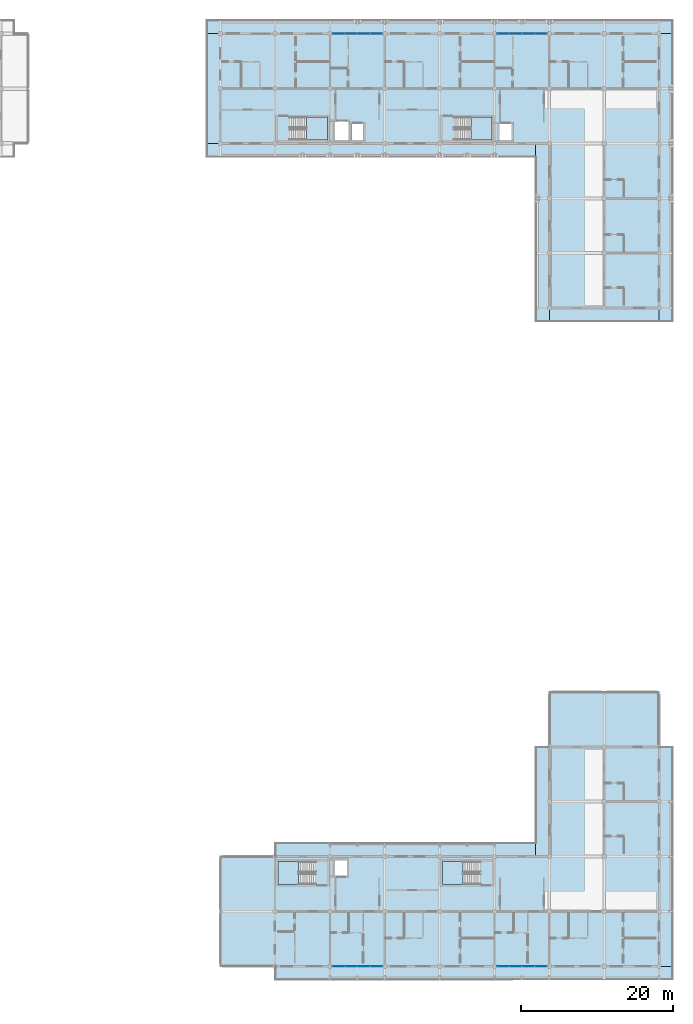
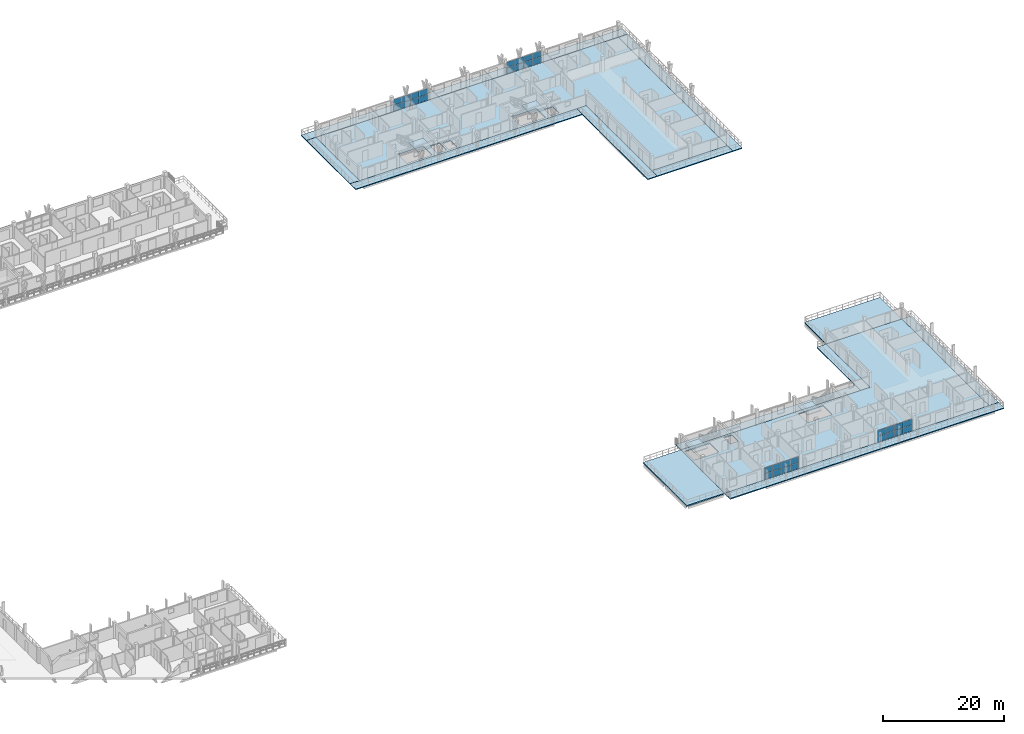
# One storey, part 31 of 65: 32 plates, 18 slabs, 8 elements without a shape of their own.
"""IFC4 building model written with IfcOpenShell, lengths in metres."""

from ifc_helpers import new_model, si_unit, direction, frame, origin, origin_2d, place, context, subcontext, project, spatial, polyline, rectangle, outline, extrude, material, layer, layer_set, type_object, element, aggregate, save


model = new_model("IFC4")

# Units and contexts
model_context = context("Model", 3, precision=1e-05, world=origin(), true_north=direction((0.0, 1.0)))
body_context = subcontext(model_context, "Body", "Model", "MODEL_VIEW")
ifc_project = project(units=[si_unit("LENGTHUNIT", "METRE"), si_unit("AREAUNIT", "SQUARE_METRE"), si_unit("VOLUMEUNIT", "CUBIC_METRE"), si_unit("PLANEANGLEUNIT", "RADIAN"), si_unit("MASSUNIT", "GRAM", prefix="KILO")], contexts=[model_context])

# Site, building, storey
site_placement = place(None, origin())
site = spatial("IfcSite", under=ifc_project, at=site_placement, CompositionType="ELEMENT")
building_placement = place(site_placement, origin())
building = spatial("IfcBuilding", under=site, at=building_placement, Name="Suanplinth Sawtooth Commons", CompositionType="ELEMENT")
storey_placement = place(building_placement, frame((0.0, 0.0, 28.300048828125)))
storey = spatial("IfcBuildingStorey", under=building, at=storey_placement, Name="L08", CompositionType="ELEMENT", Elevation=28.300048828125)

# Curtain wall, plates
ifc_material_1 = material(Name="Anodized aluminium and low-E glazing", Category="aluminium")
curtain_wall_type = type_object("IfcCurtainWallType", Name="CW-06", PredefinedType="USERDEFINED", material=ifc_material_1)
curtain_wall_1_placement = place(storey_placement, origin())
curtain_wall_1 = element("IfcCurtainWall", 1, at=curtain_wall_1_placement, inside=storey, type_object=curtain_wall_type, Name="Curtain Wall CW-L08-B-LOUNGE-20", ObjectType="CURTAIN WALL", PredefinedType="USERDEFINED")
ifc_material_2 = material(Name="Tempered low-E double glazing", Category="glass")
ifc_layer_1 = layer(ifc_material_2, 0.028076171875, Name="Vision low-E insulated glazing unit 28mm")
ifc_layer_set_1 = layer_set([ifc_layer_1], Name="Tempered low-E double glazing")
plate_type = type_object("IfcPlateType", Name="PL-05", PredefinedType="CURTAIN_PANEL", material=ifc_layer_set_1)
plate_1_placement = place(storey_placement, frame((145.12255859375, 122.39990234375, 0.06494140625), z_axis=(0.0, 0.0, 1.0), x_axis=(1.0, 0.0, 0.0)))
plate_1 = element("IfcPlate", 2, at=plate_1_placement, type_object=plate_type, Name="CW-06 panel 1.1", PredefinedType="CURTAIN_PANEL", context=body_context, shape_type="SweptSolid", body=[
    extrude(rectangle(XDim=1.56494140625, YDim=0.028076171875, at=origin_2d()), origin(), (0.0, 0.0, 1.0), 1.152587890625),
])
plate_2_placement = place(storey_placement, frame((145.12255859375, 122.39990234375, 1.2822265625), z_axis=(0.0, 0.0, 1.0), x_axis=(1.0, 0.0, 0.0)))
plate_2 = element("IfcPlate", 3, at=plate_2_placement, type_object=plate_type, Name="CW-06 panel 1.2", PredefinedType="CURTAIN_PANEL", context=body_context, shape_type="SweptSolid", body=[
    extrude(rectangle(XDim=1.56494140625, YDim=0.028076171875, at=origin_2d()), origin(), (0.0, 0.0, 1.0), 1.152587890625),
])
plate_3_placement = place(storey_placement, frame((146.768798828125, 122.39990234375, 0.06494140625), z_axis=(0.0, 0.0, 1.0), x_axis=(1.0, 0.0, 0.0)))
plate_3 = element("IfcPlate", 4, at=plate_3_placement, type_object=plate_type, Name="CW-06 panel 2.1", PredefinedType="CURTAIN_PANEL", context=body_context, shape_type="SweptSolid", body=[
    extrude(rectangle(XDim=1.597412109375, YDim=0.028076171875, at=origin_2d()), origin(), (0.0, 0.0, 1.0), 1.152587890625),
])
plate_4_placement = place(storey_placement, frame((146.768798828125, 122.39990234375, 1.2822265625), z_axis=(0.0, 0.0, 1.0), x_axis=(1.0, 0.0, 0.0)))
plate_4 = element("IfcPlate", 5, at=plate_4_placement, type_object=plate_type, Name="CW-06 panel 2.2", PredefinedType="CURTAIN_PANEL", context=body_context, shape_type="SweptSolid", body=[
    extrude(rectangle(XDim=1.597412109375, YDim=0.028076171875, at=origin_2d()), origin(), (0.0, 0.0, 1.0), 1.152587890625),
])
plate_5_placement = place(storey_placement, frame((148.43115234375, 122.39990234375, 0.06494140625), z_axis=(0.0, 0.0, 1.0), x_axis=(1.0, 0.0, 0.0)))
plate_5 = element("IfcPlate", 6, at=plate_5_placement, type_object=plate_type, Name="CW-06 panel 3.1", PredefinedType="CURTAIN_PANEL", context=body_context, shape_type="SweptSolid", body=[
    extrude(rectangle(XDim=1.597412109375, YDim=0.028076171875, at=origin_2d()), origin(), (0.0, 0.0, 1.0), 1.152587890625),
])
plate_6_placement = place(storey_placement, frame((148.43115234375, 122.39990234375, 1.2822265625), z_axis=(0.0, 0.0, 1.0), x_axis=(1.0, 0.0, 0.0)))
plate_6 = element("IfcPlate", 7, at=plate_6_placement, type_object=plate_type, Name="CW-06 panel 3.2", PredefinedType="CURTAIN_PANEL", context=body_context, shape_type="SweptSolid", body=[
    extrude(rectangle(XDim=1.597412109375, YDim=0.028076171875, at=origin_2d()), origin(), (0.0, 0.0, 1.0), 1.152587890625),
])
plate_7_placement = place(storey_placement, frame((150.077392578125, 122.39990234375, 0.06494140625), z_axis=(0.0, 0.0, 1.0), x_axis=(1.0, 0.0, 0.0)))
plate_7 = element("IfcPlate", 8, at=plate_7_placement, type_object=plate_type, Name="CW-06 panel 4.1", PredefinedType="CURTAIN_PANEL", context=body_context, shape_type="SweptSolid", body=[
    extrude(rectangle(XDim=1.56494140625, YDim=0.028076171875, at=origin_2d()), origin(), (0.0, 0.0, 1.0), 1.152587890625),
])
plate_8_placement = place(storey_placement, frame((150.077392578125, 122.39990234375, 1.2822265625), z_axis=(0.0, 0.0, 1.0), x_axis=(1.0, 0.0, 0.0)))
plate_8 = element("IfcPlate", 9, at=plate_8_placement, type_object=plate_type, Name="CW-06 panel 4.2", PredefinedType="CURTAIN_PANEL", context=body_context, shape_type="SweptSolid", body=[
    extrude(rectangle(XDim=1.56494140625, YDim=0.028076171875, at=origin_2d()), origin(), (0.0, 0.0, 1.0), 1.152587890625),
])
aggregate(curtain_wall_1, [plate_1, plate_2, plate_3, plate_4, plate_5, plate_6, plate_7, plate_8])

curtain_wall_2_placement = place(storey_placement, origin())
curtain_wall_2 = element("IfcCurtainWall", 10, at=curtain_wall_2_placement, inside=storey, type_object=curtain_wall_type, Name="Curtain Wall CW-L08-B-LOUNGE-23", ObjectType="CURTAIN WALL", PredefinedType="USERDEFINED")
plate_9_placement = place(storey_placement, frame((166.722412109375, 122.39990234375, 0.06494140625), z_axis=(0.0, 0.0, 1.0), x_axis=(1.0, 0.0, 0.0)))
plate_9 = element("IfcPlate", 11, at=plate_9_placement, type_object=plate_type, Name="CW-06 panel 1.1", PredefinedType="CURTAIN_PANEL", context=body_context, shape_type="SweptSolid", body=[
    extrude(rectangle(XDim=1.56494140625, YDim=0.028076171875, at=origin_2d()), origin(), (0.0, 0.0, 1.0), 1.152587890625),
])
plate_10_placement = place(storey_placement, frame((166.722412109375, 122.39990234375, 1.2822265625), z_axis=(0.0, 0.0, 1.0), x_axis=(1.0, 0.0, 0.0)))
plate_10 = element("IfcPlate", 12, at=plate_10_placement, type_object=plate_type, Name="CW-06 panel 1.2", PredefinedType="CURTAIN_PANEL", context=body_context, shape_type="SweptSolid", body=[
    extrude(rectangle(XDim=1.56494140625, YDim=0.028076171875, at=origin_2d()), origin(), (0.0, 0.0, 1.0), 1.152587890625),
])
plate_11_placement = place(storey_placement, frame((168.36865234375, 122.39990234375, 0.06494140625), z_axis=(0.0, 0.0, 1.0), x_axis=(1.0, 0.0, 0.0)))
plate_11 = element("IfcPlate", 13, at=plate_11_placement, type_object=plate_type, Name="CW-06 panel 2.1", PredefinedType="CURTAIN_PANEL", context=body_context, shape_type="SweptSolid", body=[
    extrude(rectangle(XDim=1.597412109375, YDim=0.028076171875, at=origin_2d()), origin(), (0.0, 0.0, 1.0), 1.152587890625),
])
plate_12_placement = place(storey_placement, frame((168.36865234375, 122.39990234375, 1.2822265625), z_axis=(0.0, 0.0, 1.0), x_axis=(1.0, 0.0, 0.0)))
plate_12 = element("IfcPlate", 14, at=plate_12_placement, type_object=plate_type, Name="CW-06 panel 2.2", PredefinedType="CURTAIN_PANEL", context=body_context, shape_type="SweptSolid", body=[
    extrude(rectangle(XDim=1.597412109375, YDim=0.028076171875, at=origin_2d()), origin(), (0.0, 0.0, 1.0), 1.152587890625),
])
plate_13_placement = place(storey_placement, frame((170.03125, 122.39990234375, 0.06494140625), z_axis=(0.0, 0.0, 1.0), x_axis=(1.0, 0.0, 0.0)))
plate_13 = element("IfcPlate", 15, at=plate_13_placement, type_object=plate_type, Name="CW-06 panel 3.1", PredefinedType="CURTAIN_PANEL", context=body_context, shape_type="SweptSolid", body=[
    extrude(rectangle(XDim=1.597412109375, YDim=0.028076171875, at=origin_2d()), origin(), (0.0, 0.0, 1.0), 1.152587890625),
])
plate_14_placement = place(storey_placement, frame((170.03125, 122.39990234375, 1.2822265625), z_axis=(0.0, 0.0, 1.0), x_axis=(1.0, 0.0, 0.0)))
plate_14 = element("IfcPlate", 16, at=plate_14_placement, type_object=plate_type, Name="CW-06 panel 3.2", PredefinedType="CURTAIN_PANEL", context=body_context, shape_type="SweptSolid", body=[
    extrude(rectangle(XDim=1.597412109375, YDim=0.028076171875, at=origin_2d()), origin(), (0.0, 0.0, 1.0), 1.152587890625),
])
plate_15_placement = place(storey_placement, frame((171.677490234375, 122.39990234375, 0.06494140625), z_axis=(0.0, 0.0, 1.0), x_axis=(1.0, 0.0, 0.0)))
plate_15 = element("IfcPlate", 17, at=plate_15_placement, type_object=plate_type, Name="CW-06 panel 4.1", PredefinedType="CURTAIN_PANEL", context=body_context, shape_type="SweptSolid", body=[
    extrude(rectangle(XDim=1.56494140625, YDim=0.028076171875, at=origin_2d()), origin(), (0.0, 0.0, 1.0), 1.152587890625),
])
plate_16_placement = place(storey_placement, frame((171.677490234375, 122.39990234375, 1.2822265625), z_axis=(0.0, 0.0, 1.0), x_axis=(1.0, 0.0, 0.0)))
plate_16 = element("IfcPlate", 18, at=plate_16_placement, type_object=plate_type, Name="CW-06 panel 4.2", PredefinedType="CURTAIN_PANEL", context=body_context, shape_type="SweptSolid", body=[
    extrude(rectangle(XDim=1.56494140625, YDim=0.028076171875, at=origin_2d()), origin(), (0.0, 0.0, 1.0), 1.152587890625),
])
aggregate(curtain_wall_2, [plate_9, plate_10, plate_11, plate_12, plate_13, plate_14, plate_15, plate_16])

curtain_wall_3_placement = place(storey_placement, origin())
curtain_wall_3 = element("IfcCurtainWall", 19, at=curtain_wall_3_placement, inside=storey, type_object=curtain_wall_type, Name="Curtain Wall CW-L08-C-LOUNGE-20", ObjectType="CURTAIN WALL", PredefinedType="USERDEFINED")
plate_17_placement = place(storey_placement, frame((145.12255859375, 0.0, 0.06494140625), z_axis=(0.0, 0.0, 1.0), x_axis=(1.0, 0.0, 0.0)))
plate_17 = element("IfcPlate", 20, at=plate_17_placement, type_object=plate_type, Name="CW-06 panel 1.1", PredefinedType="CURTAIN_PANEL", context=body_context, shape_type="SweptSolid", body=[
    extrude(rectangle(XDim=1.56494140625, YDim=0.028076171875, at=origin_2d()), origin(), (0.0, 0.0, 1.0), 1.152587890625),
])
plate_18_placement = place(storey_placement, frame((145.12255859375, 0.0, 1.2822265625), z_axis=(0.0, 0.0, 1.0), x_axis=(1.0, 0.0, 0.0)))
plate_18 = element("IfcPlate", 21, at=plate_18_placement, type_object=plate_type, Name="CW-06 panel 1.2", PredefinedType="CURTAIN_PANEL", context=body_context, shape_type="SweptSolid", body=[
    extrude(rectangle(XDim=1.56494140625, YDim=0.028076171875, at=origin_2d()), origin(), (0.0, 0.0, 1.0), 1.152587890625),
])
plate_19_placement = place(storey_placement, frame((146.768798828125, 0.0, 0.06494140625), z_axis=(0.0, 0.0, 1.0), x_axis=(1.0, 0.0, 0.0)))
plate_19 = element("IfcPlate", 22, at=plate_19_placement, type_object=plate_type, Name="CW-06 panel 2.1", PredefinedType="CURTAIN_PANEL", context=body_context, shape_type="SweptSolid", body=[
    extrude(rectangle(XDim=1.597412109375, YDim=0.028076171875, at=origin_2d()), origin(), (0.0, 0.0, 1.0), 1.152587890625),
])
plate_20_placement = place(storey_placement, frame((146.768798828125, 0.0, 1.2822265625), z_axis=(0.0, 0.0, 1.0), x_axis=(1.0, 0.0, 0.0)))
plate_20 = element("IfcPlate", 23, at=plate_20_placement, type_object=plate_type, Name="CW-06 panel 2.2", PredefinedType="CURTAIN_PANEL", context=body_context, shape_type="SweptSolid", body=[
    extrude(rectangle(XDim=1.597412109375, YDim=0.028076171875, at=origin_2d()), origin(), (0.0, 0.0, 1.0), 1.152587890625),
])
plate_21_placement = place(storey_placement, frame((148.43115234375, 0.0, 0.06494140625), z_axis=(0.0, 0.0, 1.0), x_axis=(1.0, 0.0, 0.0)))
plate_21 = element("IfcPlate", 24, at=plate_21_placement, type_object=plate_type, Name="CW-06 panel 3.1", PredefinedType="CURTAIN_PANEL", context=body_context, shape_type="SweptSolid", body=[
    extrude(rectangle(XDim=1.597412109375, YDim=0.028076171875, at=origin_2d()), origin(), (0.0, 0.0, 1.0), 1.152587890625),
])
plate_22_placement = place(storey_placement, frame((148.43115234375, 0.0, 1.2822265625), z_axis=(0.0, 0.0, 1.0), x_axis=(1.0, 0.0, 0.0)))
plate_22 = element("IfcPlate", 25, at=plate_22_placement, type_object=plate_type, Name="CW-06 panel 3.2", PredefinedType="CURTAIN_PANEL", context=body_context, shape_type="SweptSolid", body=[
    extrude(rectangle(XDim=1.597412109375, YDim=0.028076171875, at=origin_2d()), origin(), (0.0, 0.0, 1.0), 1.152587890625),
])
plate_23_placement = place(storey_placement, frame((150.077392578125, 0.0, 0.06494140625), z_axis=(0.0, 0.0, 1.0), x_axis=(1.0, 0.0, 0.0)))
plate_23 = element("IfcPlate", 26, at=plate_23_placement, type_object=plate_type, Name="CW-06 panel 4.1", PredefinedType="CURTAIN_PANEL", context=body_context, shape_type="SweptSolid", body=[
    extrude(rectangle(XDim=1.56494140625, YDim=0.028076171875, at=origin_2d()), origin(), (0.0, 0.0, 1.0), 1.152587890625),
])
plate_24_placement = place(storey_placement, frame((150.077392578125, 0.0, 1.2822265625), z_axis=(0.0, 0.0, 1.0), x_axis=(1.0, 0.0, 0.0)))
plate_24 = element("IfcPlate", 27, at=plate_24_placement, type_object=plate_type, Name="CW-06 panel 4.2", PredefinedType="CURTAIN_PANEL", context=body_context, shape_type="SweptSolid", body=[
    extrude(rectangle(XDim=1.56494140625, YDim=0.028076171875, at=origin_2d()), origin(), (0.0, 0.0, 1.0), 1.152587890625),
])
aggregate(curtain_wall_3, [plate_17, plate_18, plate_19, plate_20, plate_21, plate_22, plate_23, plate_24])

curtain_wall_4_placement = place(storey_placement, origin())
curtain_wall_4 = element("IfcCurtainWall", 28, at=curtain_wall_4_placement, inside=storey, type_object=curtain_wall_type, Name="Curtain Wall CW-L08-C-LOUNGE-23", ObjectType="CURTAIN WALL", PredefinedType="USERDEFINED")
plate_25_placement = place(storey_placement, frame((166.722412109375, 0.0, 0.06494140625), z_axis=(0.0, 0.0, 1.0), x_axis=(1.0, 0.0, 0.0)))
plate_25 = element("IfcPlate", 29, at=plate_25_placement, type_object=plate_type, Name="CW-06 panel 1.1", PredefinedType="CURTAIN_PANEL", context=body_context, shape_type="SweptSolid", body=[
    extrude(rectangle(XDim=1.56494140625, YDim=0.028076171875, at=origin_2d()), origin(), (0.0, 0.0, 1.0), 1.152587890625),
])
plate_26_placement = place(storey_placement, frame((166.722412109375, 0.0, 1.2822265625), z_axis=(0.0, 0.0, 1.0), x_axis=(1.0, 0.0, 0.0)))
plate_26 = element("IfcPlate", 30, at=plate_26_placement, type_object=plate_type, Name="CW-06 panel 1.2", PredefinedType="CURTAIN_PANEL", context=body_context, shape_type="SweptSolid", body=[
    extrude(rectangle(XDim=1.56494140625, YDim=0.028076171875, at=origin_2d()), origin(), (0.0, 0.0, 1.0), 1.152587890625),
])
plate_27_placement = place(storey_placement, frame((168.36865234375, 0.0, 0.06494140625), z_axis=(0.0, 0.0, 1.0), x_axis=(1.0, 0.0, 0.0)))
plate_27 = element("IfcPlate", 31, at=plate_27_placement, type_object=plate_type, Name="CW-06 panel 2.1", PredefinedType="CURTAIN_PANEL", context=body_context, shape_type="SweptSolid", body=[
    extrude(rectangle(XDim=1.597412109375, YDim=0.028076171875, at=origin_2d()), origin(), (0.0, 0.0, 1.0), 1.152587890625),
])
plate_28_placement = place(storey_placement, frame((168.36865234375, 0.0, 1.2822265625), z_axis=(0.0, 0.0, 1.0), x_axis=(1.0, 0.0, 0.0)))
plate_28 = element("IfcPlate", 32, at=plate_28_placement, type_object=plate_type, Name="CW-06 panel 2.2", PredefinedType="CURTAIN_PANEL", context=body_context, shape_type="SweptSolid", body=[
    extrude(rectangle(XDim=1.597412109375, YDim=0.028076171875, at=origin_2d()), origin(), (0.0, 0.0, 1.0), 1.152587890625),
])
plate_29_placement = place(storey_placement, frame((170.03125, 0.0, 0.06494140625), z_axis=(0.0, 0.0, 1.0), x_axis=(1.0, 0.0, 0.0)))
plate_29 = element("IfcPlate", 33, at=plate_29_placement, type_object=plate_type, Name="CW-06 panel 3.1", PredefinedType="CURTAIN_PANEL", context=body_context, shape_type="SweptSolid", body=[
    extrude(rectangle(XDim=1.597412109375, YDim=0.028076171875, at=origin_2d()), origin(), (0.0, 0.0, 1.0), 1.152587890625),
])
plate_30_placement = place(storey_placement, frame((170.03125, 0.0, 1.2822265625), z_axis=(0.0, 0.0, 1.0), x_axis=(1.0, 0.0, 0.0)))
plate_30 = element("IfcPlate", 34, at=plate_30_placement, type_object=plate_type, Name="CW-06 panel 3.2", PredefinedType="CURTAIN_PANEL", context=body_context, shape_type="SweptSolid", body=[
    extrude(rectangle(XDim=1.597412109375, YDim=0.028076171875, at=origin_2d()), origin(), (0.0, 0.0, 1.0), 1.152587890625),
])
plate_31_placement = place(storey_placement, frame((171.677490234375, 0.0, 0.06494140625), z_axis=(0.0, 0.0, 1.0), x_axis=(1.0, 0.0, 0.0)))
plate_31 = element("IfcPlate", 35, at=plate_31_placement, type_object=plate_type, Name="CW-06 panel 4.1", PredefinedType="CURTAIN_PANEL", context=body_context, shape_type="SweptSolid", body=[
    extrude(rectangle(XDim=1.56494140625, YDim=0.028076171875, at=origin_2d()), origin(), (0.0, 0.0, 1.0), 1.152587890625),
])
plate_32_placement = place(storey_placement, frame((171.677490234375, 0.0, 1.2822265625), z_axis=(0.0, 0.0, 1.0), x_axis=(1.0, 0.0, 0.0)))
plate_32 = element("IfcPlate", 36, at=plate_32_placement, type_object=plate_type, Name="CW-06 panel 4.2", PredefinedType="CURTAIN_PANEL", context=body_context, shape_type="SweptSolid", body=[
    extrude(rectangle(XDim=1.56494140625, YDim=0.028076171875, at=origin_2d()), origin(), (0.0, 0.0, 1.0), 1.152587890625),
])
aggregate(curtain_wall_4, [plate_25, plate_26, plate_27, plate_28, plate_29, plate_30, plate_31, plate_32])

# Slabs
ifc_material_3 = material(Name="Precast concrete C40/50", Category="concrete")
ifc_layer_2 = layer(ifc_material_3, 0.179931640625, Name="Wrap-around cantilevered precast balcony slab 180mm")
ifc_layer_set_2 = layer_set([ifc_layer_2], Name="Precast concrete C40/50")
slab_type_1 = type_object("IfcSlabType", Name="S-BL01", PredefinedType="FLOOR", material=ifc_layer_set_2)
slab_1_placement = place(storey_placement, frame((0.0, 0.0, -0.179931640625)))
element("IfcSlab", 37, at=slab_1_placement, inside=storey, type_object=slab_type_1, Name="L08 Block B Wrap-Around Balcony N", PredefinedType="FLOOR", context=body_context, shape_type="SweptSolid", body=[
    extrude(outline(polyline([(127.800048828125, 122.39990234375), (127.800048828125, 124.199951171875), (189.0, 124.199951171875), (189.0, 122.39990234375), (127.800048828125, 122.39990234375)])), origin(), (0.0, 0.0, 1.0), 0.179931640625),
])
slab_2_placement = place(storey_placement, frame((0.0, 0.0, -0.179931640625)))
element("IfcSlab", 38, at=slab_2_placement, inside=storey, type_object=slab_type_1, Name="L08 Block B Wrap-Around Balcony E", PredefinedType="FLOOR", context=body_context, shape_type="SweptSolid", body=[
    extrude(outline(polyline([(189.0, 122.39990234375), (189.0, 84.60009765625), (187.199951171875, 84.60009765625), (187.199951171875, 122.39990234375), (189.0, 122.39990234375)])), origin(), (0.0, 0.0, 1.0), 0.179931640625),
])
slab_3_placement = place(storey_placement, frame((0.0, 0.0, -0.179931640625)))
element("IfcSlab", 39, at=slab_3_placement, inside=storey, type_object=slab_type_1, Name="L08 Block B Wrap-Around Balcony WEND", PredefinedType="FLOOR", context=body_context, shape_type="SweptSolid", body=[
    extrude(outline(polyline([(129.60009765625, 108.0), (127.800048828125, 108.0), (127.800048828125, 122.39990234375), (129.60009765625, 122.39990234375), (129.60009765625, 108.0)])), origin(), (0.0, 0.0, 1.0), 0.179931640625),
])
slab_4_placement = place(storey_placement, frame((0.0, 0.0, -0.179931640625)))
element("IfcSlab", 40, at=slab_4_placement, inside=storey, type_object=slab_type_1, Name="L08 Block B Wrap-Around Balcony SEND", PredefinedType="FLOOR", context=body_context, shape_type="SweptSolid", body=[
    extrude(outline(polyline([(187.199951171875, 84.60009765625), (172.800048828125, 84.60009765625), (172.800048828125, 86.39990234375), (187.199951171875, 86.39990234375), (187.199951171875, 84.60009765625)])), origin(), (0.0, 0.0, 1.0), 0.179931640625),
])
slab_5_placement = place(storey_placement, frame((0.0, 0.0, -0.179931640625)))
element("IfcSlab", 41, at=slab_5_placement, inside=storey, type_object=slab_type_1, Name="L08 Block C Wrap-Around Balcony S", PredefinedType="FLOOR", context=body_context, shape_type="SweptSolid", body=[
    extrude(outline(polyline([(189.0, 0.0), (189.0, -1.800048828125), (136.800048828125, -1.800048828125), (136.800048828125, 0.0), (189.0, 0.0)])), origin(), (0.0, 0.0, 1.0), 0.179931640625),
])
slab_6_placement = place(storey_placement, frame((0.0, 0.0, -0.179931640625)))
element("IfcSlab", 42, at=slab_6_placement, inside=storey, type_object=slab_type_1, Name="L08 Block C Wrap-Around Balcony E", PredefinedType="FLOOR", context=body_context, shape_type="SweptSolid", body=[
    extrude(outline(polyline([(189.0, 28.800048828125), (189.0, 0.0), (187.199951171875, 0.0), (187.199951171875, 28.800048828125), (189.0, 28.800048828125)])), origin(), (0.0, 0.0, 1.0), 0.179931640625),
])
ifc_layer_3 = layer(ifc_material_3, 0.175048828125, Name="Courtyard cantilevered precast balcony slab 175mm")
ifc_layer_set_3 = layer_set([ifc_layer_3], Name="Precast concrete C40/50")
slab_type_2 = type_object("IfcSlabType", Name="S-BL02", PredefinedType="FLOOR", material=ifc_layer_set_3)
slab_7_placement = place(storey_placement, frame((0.0, 0.0, -0.175048828125)))
element("IfcSlab", 43, at=slab_7_placement, inside=storey, type_object=slab_type_2, Name="L08 Block B Wrap-Around Balcony SC", PredefinedType="FLOOR", context=body_context, shape_type="SweptSolid", body=[
    extrude(outline(polyline([(171.0, 106.199951171875), (127.800048828125, 106.199951171875), (127.800048828125, 108.0), (171.0, 108.0), (171.0, 106.199951171875)])), origin(), (0.0, 0.0, 1.0), 0.175048828125),
])
slab_8_placement = place(storey_placement, frame((0.0, 0.0, -0.175048828125)))
element("IfcSlab", 44, at=slab_8_placement, inside=storey, type_object=slab_type_2, Name="L08 Block B Wrap-Around Balcony WC", PredefinedType="FLOOR", context=body_context, shape_type="SweptSolid", body=[
    extrude(outline(polyline([(172.800048828125, 84.60009765625), (171.0, 84.60009765625), (171.0, 108.0), (172.800048828125, 108.0), (172.800048828125, 84.60009765625)])), origin(), (0.0, 0.0, 1.0), 0.175048828125),
])
slab_9_placement = place(storey_placement, frame((0.0, 0.0, -0.175048828125)))
element("IfcSlab", 45, at=slab_9_placement, inside=storey, type_object=slab_type_2, Name="L08 Block C Wrap-Around Balcony NC", PredefinedType="FLOOR", context=body_context, shape_type="SweptSolid", body=[
    extrude(outline(polyline([(136.800048828125, 16.199951171875), (171.0, 16.199951171875), (171.0, 14.39990234375), (136.800048828125, 14.39990234375), (136.800048828125, 16.199951171875)])), origin(), (0.0, 0.0, 1.0), 0.175048828125),
])
slab_10_placement = place(storey_placement, frame((0.0, 0.0, -0.175048828125)))
element("IfcSlab", 46, at=slab_10_placement, inside=storey, type_object=slab_type_2, Name="L08 Block C Wrap-Around Balcony WC", PredefinedType="FLOOR", context=body_context, shape_type="SweptSolid", body=[
    extrude(outline(polyline([(172.800048828125, 14.39990234375), (171.0, 14.39990234375), (171.0, 28.800048828125), (172.800048828125, 28.800048828125), (172.800048828125, 14.39990234375)])), origin(), (0.0, 0.0, 1.0), 0.175048828125),
])
ifc_layer_4 = layer(ifc_material_3, 0.2099609375, Name="Precast hollow-core + topping floor slab 210mm")
ifc_layer_set_4 = layer_set([ifc_layer_4], Name="Precast concrete C40/50")
slab_type_3 = type_object("IfcSlabType", Name="S-FL04", PredefinedType="FLOOR", material=ifc_layer_set_4)
slab_11_placement = place(storey_placement, frame((0.0, 0.0, -0.2099609375)))
element("IfcSlab", 47, at=slab_11_placement, inside=storey, type_object=slab_type_3, Name="L08 Block B Structural Floor Plate", PredefinedType="FLOOR", context=body_context, shape_type="SweptSolid", body=[
    extrude(outline(polyline([(172.800048828125, 108.0), (129.60009765625, 108.0), (129.60009765625, 122.39990234375), (187.199951171875, 122.39990234375), (187.199951171875, 86.39990234375), (172.800048828125, 86.39990234375), (172.800048828125, 108.0)]), holes=[polyline([(138.889892578125, 108.449951171875), (143.64990234375, 108.449951171875), (143.64990234375, 111.449951171875), (138.889892578125, 111.449951171875), (138.889892578125, 108.449951171875)]), polyline([(144.64990234375, 108.449951171875), (146.449951171875, 108.449951171875), (146.449951171875, 110.85009765625), (144.64990234375, 110.85009765625), (144.64990234375, 108.449951171875)]), polyline([(146.800048828125, 108.449951171875), (148.39990234375, 108.449951171875), (148.39990234375, 110.550048828125), (146.800048828125, 110.550048828125), (146.800048828125, 108.449951171875)]), polyline([(160.489990234375, 108.449951171875), (165.25, 108.449951171875), (165.25, 111.449951171875), (160.489990234375, 111.449951171875), (160.489990234375, 108.449951171875)]), polyline([(166.25, 108.449951171875), (167.85009765625, 108.449951171875), (167.85009765625, 110.550048828125), (166.25, 110.550048828125), (166.25, 108.449951171875)])]), origin(), (0.0, 0.0, 1.0), 0.2099609375),
])
slab_12_placement = place(storey_placement, frame((0.0, 0.0, -0.2099609375)))
element("IfcSlab", 48, at=slab_12_placement, inside=storey, type_object=slab_type_3, Name="L08 Block C Structural Floor Plate", PredefinedType="FLOOR", context=body_context, shape_type="SweptSolid", body=[
    extrude(outline(polyline([(187.199951171875, 0.0), (136.800048828125, 0.0), (136.800048828125, 14.39990234375), (172.800048828125, 14.39990234375), (172.800048828125, 28.800048828125), (187.199951171875, 28.800048828125), (187.199951171875, 0.0)]), holes=[polyline([(137.14990234375, 10.75), (141.909912109375, 10.75), (141.909912109375, 13.75), (137.14990234375, 13.75), (137.14990234375, 10.75)]), polyline([(144.64990234375, 11.85009765625), (146.25, 11.85009765625), (146.25, 13.949951171875), (144.64990234375, 13.949951171875), (144.64990234375, 11.85009765625)]), polyline([(158.75, 10.75), (163.510009765625, 10.75), (163.510009765625, 13.75), (158.75, 13.75), (158.75, 10.75)])]), origin(), (0.0, 0.0, 1.0), 0.2099609375),
])

# Stair, slab
ifc_material_4 = material(Name="Concrete C40/50", Category="concrete")
stair_type = type_object("IfcStairType", Name="ST-07", PredefinedType="USERDEFINED", material=ifc_material_4)
stair_1_placement = place(storey_placement, origin())
stair_1 = element("IfcStair", 49, at=stair_1_placement, inside=storey, type_object=stair_type, Name="L08 Exit Stair ST-E1", ObjectType="TWO_RETURN_STAIR", PredefinedType="USERDEFINED")
ifc_layer_5 = layer(ifc_material_4, 0.199951171875, Name="Reinforced concrete stair and ramp landing slab 200mm")
ifc_layer_set_5 = layer_set([ifc_layer_5], Name="Concrete C40/50")
slab_type_4 = type_object("IfcSlabType", Name="S-LD01", PredefinedType="LANDING", material=ifc_layer_set_5)
slab_13_placement = place(storey_placement, frame((0.0, 0.0, 1.39990234375)))
slab_13 = element("IfcSlab", 50, at=slab_13_placement, type_object=slab_type_4, Name="ST-07 landing 1", PredefinedType="LANDING", context=body_context, shape_type="SweptSolid", body=[
    extrude(outline(polyline([(140.929931640625, 108.449951171875), (143.64990234375, 108.449951171875), (143.64990234375, 111.449951171875), (140.929931640625, 111.449951171875), (140.929931640625, 108.449951171875)])), origin(), (0.0, 0.0, 1.0), 0.199951171875),
])
aggregate(stair_1, [slab_13])

stair_2_placement = place(storey_placement, origin())
stair_2 = element("IfcStair", 51, at=stair_2_placement, inside=storey, type_object=stair_type, Name="L08 Exit Stair ST-E2", ObjectType="TWO_RETURN_STAIR", PredefinedType="USERDEFINED")
slab_14_placement = place(storey_placement, frame((0.0, 0.0, 1.39990234375)))
slab_14 = element("IfcSlab", 52, at=slab_14_placement, type_object=slab_type_4, Name="ST-07 landing 1", PredefinedType="LANDING", context=body_context, shape_type="SweptSolid", body=[
    extrude(outline(polyline([(162.530029296875, 108.449951171875), (165.25, 108.449951171875), (165.25, 111.449951171875), (162.530029296875, 111.449951171875), (162.530029296875, 108.449951171875)])), origin(), (0.0, 0.0, 1.0), 0.199951171875),
])
aggregate(stair_2, [slab_14])

stair_3_placement = place(storey_placement, origin())
stair_3 = element("IfcStair", 53, at=stair_3_placement, inside=storey, type_object=stair_type, Name="L08 Exit Stair ST-S1", ObjectType="TWO_RETURN_STAIR", PredefinedType="USERDEFINED")
slab_15_placement = place(storey_placement, frame((0.0, 0.0, 1.39990234375)))
slab_15 = element("IfcSlab", 54, at=slab_15_placement, type_object=slab_type_4, Name="ST-07 landing 1", PredefinedType="LANDING", context=body_context, shape_type="SweptSolid", body=[
    extrude(outline(polyline([(139.8701171875, 13.75), (137.14990234375, 13.75), (137.14990234375, 10.75), (139.8701171875, 10.75), (139.8701171875, 13.75)])), origin(), (0.0, 0.0, 1.0), 0.199951171875),
])
aggregate(stair_3, [slab_15])

stair_4_placement = place(storey_placement, origin())
stair_4 = element("IfcStair", 55, at=stair_4_placement, inside=storey, type_object=stair_type, Name="L08 Exit Stair ST-S2", ObjectType="TWO_RETURN_STAIR", PredefinedType="USERDEFINED")
slab_16_placement = place(storey_placement, frame((0.0, 0.0, 1.39990234375)))
slab_16 = element("IfcSlab", 56, at=slab_16_placement, type_object=slab_type_4, Name="ST-07 landing 1", PredefinedType="LANDING", context=body_context, shape_type="SweptSolid", body=[
    extrude(outline(polyline([(161.469970703125, 13.75), (158.75, 13.75), (158.75, 10.75), (161.469970703125, 10.75), (161.469970703125, 13.75)])), origin(), (0.0, 0.0, 1.0), 0.199951171875),
])
aggregate(stair_4, [slab_16])

# Slabs
ifc_layer_6 = layer(ifc_material_4, 0.239990234375, Name="Stepped sky-terrace & courtyard garden slab 240mm")
ifc_layer_set_6 = layer_set([ifc_layer_6], Name="Concrete C40/50")
slab_type_5 = type_object("IfcSlabType", Name="S-TR01", PredefinedType="FLOOR", material=ifc_layer_set_6)
slab_17_placement = place(storey_placement, frame((0.0, 0.0, -0.239990234375)))
element("IfcSlab", 57, at=slab_17_placement, inside=storey, type_object=slab_type_5, Name="L08 Block C Stepped Sky-Terrace 1", PredefinedType="FLOOR", context=body_context, shape_type="SweptSolid", body=[
    extrude(outline(polyline([(129.60009765625, 0.0), (129.60009765625, 14.39990234375), (136.800048828125, 14.39990234375), (136.800048828125, 0.0), (129.60009765625, 0.0)])), origin(), (0.0, 0.0, 1.0), 0.239990234375),
])
slab_18_placement = place(storey_placement, frame((0.0, 0.0, -0.239990234375)))
element("IfcSlab", 58, at=slab_18_placement, inside=storey, type_object=slab_type_5, Name="L08 Block C Stepped Sky-Terrace 2", PredefinedType="FLOOR", context=body_context, shape_type="SweptSolid", body=[
    extrude(outline(polyline([(172.800048828125, 36.0), (187.199951171875, 36.0), (187.199951171875, 28.800048828125), (172.800048828125, 28.800048828125), (172.800048828125, 36.0)])), origin(), (0.0, 0.0, 1.0), 0.239990234375),
])

save(model, "model.ifc")
